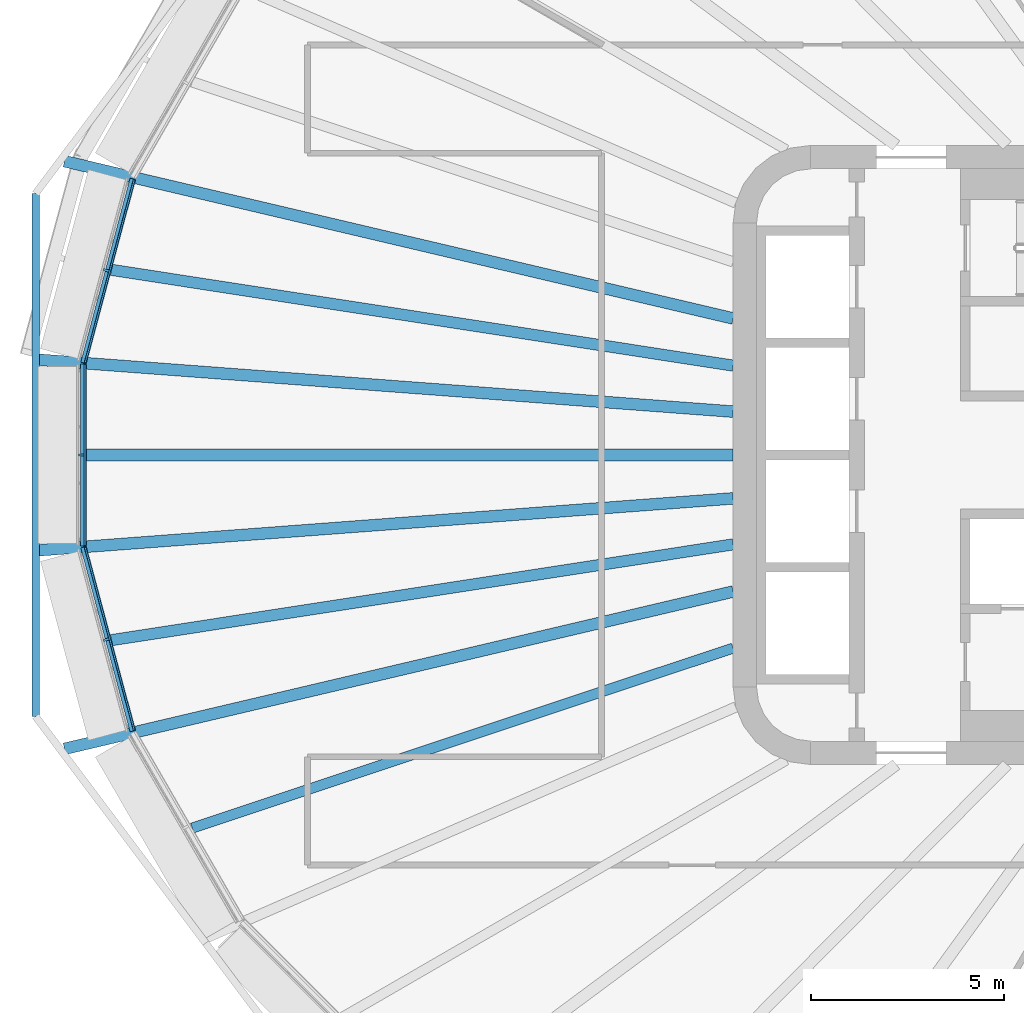
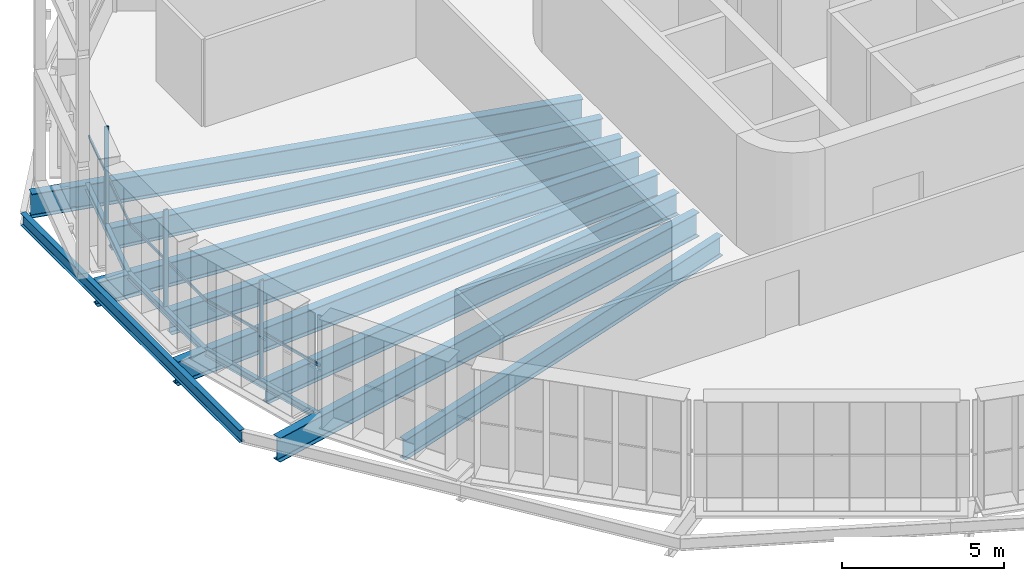
# One storey, part 3 of 26: 12 beams, 6 members, 3 elements without a shape of their own.
"""IFC4 building model written with IfcOpenShell, lengths in metres."""

from ifc_helpers import new_model, si_unit, direction, frame, origin, origin_2d, place, context, subcontext, project, spatial, rectangle, i_section, extrude, material, layer, layer_set, material_profile, profile_set, type_object, element, aggregate, save


model = new_model("IFC4")

# Units and contexts
model_context = context("Model", 3, precision=1e-05, world=origin(), true_north=direction((0.0, 1.0)))
body_context = subcontext(model_context, "Body", "Model", "MODEL_VIEW")
ifc_project = project(units=[si_unit("LENGTHUNIT", "METRE"), si_unit("AREAUNIT", "SQUARE_METRE"), si_unit("VOLUMEUNIT", "CUBIC_METRE"), si_unit("PLANEANGLEUNIT", "RADIAN"), si_unit("MASSUNIT", "GRAM", prefix="KILO")], contexts=[model_context])

# Site, building, storey
site_placement = place(None, origin())
site = spatial("IfcSite", under=ifc_project, at=site_placement, CompositionType="ELEMENT")
building_placement = place(site_placement, origin())
building = spatial("IfcBuilding", under=site, at=building_placement, Name="Sahrelin Media Tower", CompositionType="ELEMENT")
storey_placement = place(building_placement, frame((0.0, 0.0, 102.0)))
storey = spatial("IfcBuildingStorey", under=building, at=storey_placement, Name="L19", CompositionType="ELEMENT", Elevation=102.0)

# Beams
ifc_material_1 = material(Name="Steel S355", Category="steel")
ifc_material_profile_1 = material_profile(ifc_material_1, i_section(OverallWidth=0.14599609375, OverallDepth=0.25146484375, WebThickness=0.006103515625, FlangeThickness=0.008544921875, FilletRadius=0.007568359375, at=origin_2d()), Name="UB 254x146x31")
ifc_profile_set_1 = profile_set([ifc_material_profile_1], Name="Steel S355")
beam_type_1 = type_object("IfcBeamType", Name="Edge beam EB1", PredefinedType="BEAM", material=ifc_profile_set_1)
beam_1_placement = place(storey_placement, frame((-30.51611328125, -7.138427734375, -0.275634765625), z_axis=(-0.258785645927, 0.965934774952, 0.0), x_axis=(-0.965934774952, -0.258785645927, 0.0)))
element("IfcBeam", 1, at=beam_1_placement, inside=storey, type_object=beam_type_1, Name="Edge beam L19-12", PredefinedType="BEAM", context=body_context, shape_type="SweptSolid", body=[
    extrude(i_section(OverallWidth=0.14599609375, OverallDepth=0.25146484375, WebThickness=0.006103515625, FlangeThickness=0.008544921875, FilletRadius=0.007568359375, at=origin_2d()), origin(), (0.0, 0.0, 1.0), 4.924560546875),
])
beam_2_placement = place(storey_placement, frame((-31.794189453125, -2.352783203125, -0.275634765625), z_axis=(0.0, 1.0, 0.0), x_axis=(-1.0, 0.0, 0.0)))
element("IfcBeam", 2, at=beam_2_placement, inside=storey, type_object=beam_type_1, Name="Edge beam L19-13", PredefinedType="BEAM", context=body_context, shape_type="SweptSolid", body=[
    extrude(i_section(OverallWidth=0.14599609375, OverallDepth=0.25146484375, WebThickness=0.006103515625, FlangeThickness=0.008544921875, FilletRadius=0.007568359375, at=origin_2d()), origin(), (0.0, 0.0, 1.0), 4.70556640625),
])
beam_3_placement = place(storey_placement, frame((-31.79052734375, 2.381591796875, -0.275634765625), z_axis=(0.258785645927, 0.965934774952, 0.0), x_axis=(-0.965934774952, 0.258785645927, 0.0)))
element("IfcBeam", 3, at=beam_3_placement, inside=storey, type_object=beam_type_1, Name="Edge beam L19-14", PredefinedType="BEAM", context=body_context, shape_type="SweptSolid", body=[
    extrude(i_section(OverallWidth=0.14599609375, OverallDepth=0.25146484375, WebThickness=0.006103515625, FlangeThickness=0.008544921875, FilletRadius=0.007568359375, at=origin_2d()), origin(), (0.0, 0.0, 1.0), 4.924560546875),
])

# Curtain wall, member
ifc_material_2 = material(Name="Champagne anodised aluminium 6063-T6", Category="aluminium")
ifc_layer = layer(ifc_material_2, 0.14990234375)
ifc_layer_set = layer_set([ifc_layer], Name="Tower ribbon curtain wall")
curtain_wall_type = type_object("IfcCurtainWallType", Name="Tower ribbon curtain wall", PredefinedType="NOTDEFINED", material=ifc_layer_set)
curtain_wall_1_placement = place(storey_placement, frame((-31.298095703125, 4.798828125, 0.0), z_axis=(0.0, 0.0, 1.0), x_axis=(1.0, 0.0, 0.0)))
curtain_wall_1 = element("IfcCurtainWall", 4, at=curtain_wall_1_placement, inside=storey, type_object=curtain_wall_type, Name="L19:CW:L19-11", PredefinedType="NOTDEFINED")
ifc_material_profile_2 = material_profile(ifc_material_2, rectangle(XDim=0.06005859375, YDim=0.14990234375, at=origin_2d()), Name="Mullion 60x150")
ifc_profile_set_2 = profile_set([ifc_material_profile_2], Name="Champagne anodised aluminium 6063-T6")
member_type_1 = type_object("IfcMemberType", Name="Mullion 60x150 CW1", PredefinedType="MULLION", material=ifc_profile_set_2)
member_1_placement = place(storey_placement, frame((-31.206298828125, 4.774169921875, 0.0), z_axis=(0.0, 0.0, 1.0), x_axis=(-0.2588106158, -0.965928084875, 0.0)))
member_1 = element("IfcMember", 5, at=member_1_placement, type_object=member_type_1, Name="L19:CWM:L19-11", PredefinedType="MULLION", context=body_context, shape_type="SweptSolid", body=[
    extrude(rectangle(XDim=0.06005859375, YDim=0.14990234375, at=origin_2d()), origin(), (0.0, 0.0, 1.0), 3.648681640625),
])

curtain_wall_2_placement = place(storey_placement, frame((-31.9443359375, 0.0, 0.0), z_axis=(0.0, 0.0, 1.0), x_axis=(1.0, 0.0, 0.0)))
curtain_wall_2 = element("IfcCurtainWall", 6, at=curtain_wall_2_placement, inside=storey, type_object=curtain_wall_type, Name="L19:CW:L19-12", PredefinedType="NOTDEFINED")
member_2_placement = place(storey_placement, frame((-31.849365234375, 0.0, 0.0), z_axis=(0.0, 0.0, 1.0), x_axis=(0.0, -1.0, 0.0)))
member_2 = element("IfcMember", 7, at=member_2_placement, type_object=member_type_1, Name="L19:CWM:L19-12", PredefinedType="MULLION", context=body_context, shape_type="SweptSolid", body=[
    extrude(rectangle(XDim=0.06005859375, YDim=0.14990234375, at=origin_2d()), origin(), (0.0, 0.0, 1.0), 3.648681640625),
])

curtain_wall_3_placement = place(storey_placement, frame((-31.298095703125, -4.798828125, 0.0), z_axis=(0.0, 0.0, 1.0), x_axis=(1.0, 0.0, 0.0)))
curtain_wall_3 = element("IfcCurtainWall", 8, at=curtain_wall_3_placement, inside=storey, type_object=curtain_wall_type, Name="L19:CW:L19-13", PredefinedType="NOTDEFINED")
member_3_placement = place(storey_placement, frame((-31.206298828125, -4.774169921875, 0.0), z_axis=(0.0, 0.0, 1.0), x_axis=(0.2588106158, -0.965928084875, 0.0)))
member_3 = element("IfcMember", 9, at=member_3_placement, type_object=member_type_1, Name="L19:CWM:L19-13", PredefinedType="MULLION", context=body_context, shape_type="SweptSolid", body=[
    extrude(rectangle(XDim=0.06005859375, YDim=0.14990234375, at=origin_2d()), origin(), (0.0, 0.0, 1.0), 3.648681640625),
])

# Beams
ifc_material_profile_3 = material_profile(ifc_material_1, i_section(OverallWidth=0.30322265625, OverallDepth=0.903076171875, WebThickness=0.01513671875, FlangeThickness=0.020263671875, FilletRadius=0.01904296875, at=origin_2d()), Name="UB 914x305x201")
ifc_profile_set_3 = profile_set([ifc_material_profile_3], Name="Steel S355")
beam_type_2 = type_object("IfcBeamType", Name="Radial primary beam PB11", PredefinedType="BEAM", material=ifc_profile_set_3)
beam_4_placement = place(storey_placement, frame((-15.0, 3.528564453125, -0.6015625), z_axis=(-0.973431053553, 0.228980313518, 0.0), x_axis=(-0.228980313518, -0.973431053553, 0.0)))
element("IfcBeam", 10, at=beam_4_placement, inside=storey, type_object=beam_type_2, Name="Radial beam L19-11", PredefinedType="BEAM", context=body_context, shape_type="SweptSolid", body=[
    extrude(i_section(OverallWidth=0.30322265625, OverallDepth=0.903076171875, WebThickness=0.01513671875, FlangeThickness=0.020263671875, FilletRadius=0.01904296875, at=origin_2d()), origin(), (0.0, 0.0, 1.0), 17.75341796875),
])
for number, where, z_axis, x_axis, name in (
    (11, (-15.0, 1.12109375, -0.6015625), (-0.997219724808, 0.074517249367, 0.0), (-0.074517249367, -0.997219724808, 0.0), "Radial beam L19-12"),
    (12, (-15.0, -1.12109375, -0.6015625), (-0.997219724808, -0.074517249367, 0.0), (0.074517249367, -0.997219724808, 0.0), "Radial beam L19-13"),
):
    element("IfcBeam", number, at=place(storey_placement, frame(where, z_axis=z_axis, x_axis=x_axis)), inside=storey, type_object=beam_type_2, Name=name, PredefinedType="BEAM", context=body_context, shape_type="SweptSolid", body=[
        extrude(i_section(OverallWidth=0.30322265625, OverallDepth=0.903076171875, WebThickness=0.01513671875, FlangeThickness=0.020263671875, FilletRadius=0.01904296875, at=origin_2d()), origin(), (0.0, 0.0, 1.0), 17.983642578125),
    ])
beam_5_placement = place(storey_placement, frame((-15.0, -3.528564453125, -0.6015625), z_axis=(-0.973431053553, -0.228980313518, 0.0), x_axis=(0.228980313518, -0.973431053553, 0.0)))
element("IfcBeam", 13, at=beam_5_placement, inside=storey, type_object=beam_type_2, Name="Radial beam L19-14", PredefinedType="BEAM", context=body_context, shape_type="SweptSolid", body=[
    extrude(i_section(OverallWidth=0.30322265625, OverallDepth=0.903076171875, WebThickness=0.01513671875, FlangeThickness=0.020263671875, FilletRadius=0.01904296875, at=origin_2d()), origin(), (0.0, 0.0, 1.0), 17.75341796875),
])
ifc_material_profile_4 = material_profile(ifc_material_1, i_section(OverallWidth=0.291748046875, OverallDepth=0.8349609375, WebThickness=0.013916015625, FlangeThickness=0.018798828125, FilletRadius=0.017822265625, at=origin_2d()), Name="UB 838x292x176")
ifc_profile_set_4 = profile_set([ifc_material_profile_4], Name="Steel S355")
beam_type_3 = type_object("IfcBeamType", Name="Radial secondary beam SB10", PredefinedType="BEAM", material=ifc_profile_set_4)
for number, where, z_axis, x_axis, name in (
    (14, (-15.0, 2.310302734375, -0.5673828125), (-0.988347036521, 0.152217395197, 0.0), (-0.152217395197, -0.988347036521, 0.0), "Secondary beam L19-11"),
    (15, (-15.0, -2.310302734375, -0.5673828125), (-0.988347036521, -0.152217395197, 0.0), (0.152217395197, -0.988347036521, 0.0), "Secondary beam L19-13"),
):
    element("IfcBeam", number, at=place(storey_placement, frame(where, z_axis=z_axis, x_axis=x_axis)), inside=storey, type_object=beam_type_3, Name=name, PredefinedType="BEAM", context=body_context, shape_type="SweptSolid", body=[
        extrude(i_section(OverallWidth=0.291748046875, OverallDepth=0.8349609375, WebThickness=0.013916015625, FlangeThickness=0.018798828125, FilletRadius=0.017822265625, at=origin_2d()), origin(), (0.0, 0.0, 1.0), 16.26025390625),
    ])
ifc_material_profile_5 = material_profile(ifc_material_1, i_section(OverallWidth=0.30322265625, OverallDepth=0.903076171875, WebThickness=0.01513671875, FlangeThickness=0.020263671875, FilletRadius=0.01904296875, at=origin_2d()), Name="UB 914x305x201")
ifc_profile_set_5 = profile_set([ifc_material_profile_5], Name="Steel S355")
beam_type_4 = type_object("IfcBeamType", Name="Radial secondary beam SB11", PredefinedType="BEAM", material=ifc_profile_set_5)
beam_6_placement = place(storey_placement, frame((-15.0, 0.0, -0.6015625), z_axis=(-1.0, 0.0, 0.0), x_axis=(0.0, -1.0, 0.0)))
element("IfcBeam", 16, at=beam_6_placement, inside=storey, type_object=beam_type_4, Name="Secondary beam L19-12", PredefinedType="BEAM", context=body_context, shape_type="SweptSolid", body=[
    extrude(i_section(OverallWidth=0.30322265625, OverallDepth=0.903076171875, WebThickness=0.01513671875, FlangeThickness=0.020263671875, FilletRadius=0.01904296875, at=origin_2d()), origin(), (0.0, 0.0, 1.0), 16.72119140625),
])
ifc_material_profile_6 = material_profile(ifc_material_1, i_section(OverallWidth=0.26513671875, OverallDepth=0.75390625, WebThickness=0.0126953125, FlangeThickness=0.017578125, FilletRadius=0.0166015625, at=origin_2d()), Name="UB 762x267x147")
ifc_profile_set_6 = profile_set([ifc_material_profile_6], Name="Steel S355")
beam_type_5 = type_object("IfcBeamType", Name="Radial secondary beam SB9", PredefinedType="BEAM", material=ifc_profile_set_6)
beam_7_placement = place(storey_placement, frame((-15.0, -4.989990234375, -0.527099609375), z_axis=(-0.948863762476, -0.31568585692, 0.0), x_axis=(0.31568585692, -0.948863762476, 0.0)))
element("IfcBeam", 17, at=beam_7_placement, inside=storey, type_object=beam_type_5, Name="Secondary beam L19-14", PredefinedType="BEAM", context=body_context, shape_type="SweptSolid", body=[
    extrude(i_section(OverallWidth=0.26513671875, OverallDepth=0.75390625, WebThickness=0.0126953125, FlangeThickness=0.017578125, FilletRadius=0.0166015625, at=origin_2d()), origin(), (0.0, 0.0, 1.0), 14.7333984375),
])
ifc_material_profile_7 = material_profile(ifc_material_1, i_section(OverallWidth=0.1904296875, OverallDepth=0.45703125, WebThickness=0.009033203125, FlangeThickness=0.014404296875, FilletRadius=0.01025390625, at=origin_2d()), Name="UB 457x191x74")
ifc_profile_set_7 = profile_set([ifc_material_profile_7], Name="Steel S355")
beam_type_6 = type_object("IfcBeamType", Name="Tie chord TC5", PredefinedType="BEAM", material=ifc_profile_set_7)
beam_8_placement = place(storey_placement, frame((-33.02880859375, -6.75634765625, -0.37841796875), z_axis=(0.0, 1.0, 0.0), x_axis=(-1.0, 0.0, 0.0)))
element("IfcBeam", 18, at=beam_8_placement, inside=storey, type_object=beam_type_6, Name="Tie chord L19-11", PredefinedType="BEAM", context=body_context, shape_type="SweptSolid", body=[
    extrude(i_section(OverallWidth=0.1904296875, OverallDepth=0.45703125, WebThickness=0.009033203125, FlangeThickness=0.014404296875, FilletRadius=0.01025390625, at=origin_2d()), origin(), (0.0, 0.0, 1.0), 13.5126953125),
])

# Member
ifc_material_profile_8 = material_profile(ifc_material_2, rectangle(XDim=0.050048828125, YDim=0.10009765625, at=origin_2d()), Name="Transom 50x100")
ifc_profile_set_8 = profile_set([ifc_material_profile_8], Name="Champagne anodised aluminium 6063-T6")
member_type_2 = type_object("IfcMemberType", Name="Transom 50x100 CW1", PredefinedType="USERDEFINED", material=ifc_profile_set_8)
member_4_placement = place(storey_placement, frame((-30.4765625, 7.111572265625, 1.60009765625), z_axis=(-0.258795938733, -0.965932017326, 0.0), x_axis=(0.965932017326, -0.258795938733, 0.0)))
member_4 = element("IfcMember", 19, at=member_4_placement, type_object=member_type_2, Name="L19:CWT:L19-11", ObjectType="TRANSOM", PredefinedType="USERDEFINED", context=body_context, shape_type="SweptSolid", body=[
    extrude(rectangle(XDim=0.050048828125, YDim=0.10009765625, at=origin_2d()), origin(), (0.0, 0.0, 1.0), 4.893310546875),
])

aggregate(curtain_wall_1, [member_1, member_4])

member_5_placement = place(storey_placement, frame((-31.749267578125, 2.337158203125, 1.60009765625), z_axis=(0.0, -1.0, 0.0), x_axis=(1.0, 0.0, 0.0)))
member_5 = element("IfcMember", 20, at=member_5_placement, type_object=member_type_2, Name="L19:CWT:L19-12", ObjectType="TRANSOM", PredefinedType="USERDEFINED", context=body_context, shape_type="SweptSolid", body=[
    extrude(rectangle(XDim=0.050048828125, YDim=0.10009765625, at=origin_2d()), origin(), (0.0, 0.0, 1.0), 4.67431640625),
])

aggregate(curtain_wall_2, [member_2, member_5])

member_6_placement = place(storey_placement, frame((-31.742919921875, -2.385009765625, 1.60009765625), z_axis=(0.258795938733, -0.965932017326, 0.0), x_axis=(0.965932017326, 0.258795938733, 0.0)))
member_6 = element("IfcMember", 21, at=member_6_placement, type_object=member_type_2, Name="L19:CWT:L19-13", ObjectType="TRANSOM", PredefinedType="USERDEFINED", context=body_context, shape_type="SweptSolid", body=[
    extrude(rectangle(XDim=0.050048828125, YDim=0.10009765625, at=origin_2d()), origin(), (0.0, 0.0, 1.0), 4.893310546875),
])

aggregate(curtain_wall_3, [member_3, member_6])

save(model, "model.ifc")
